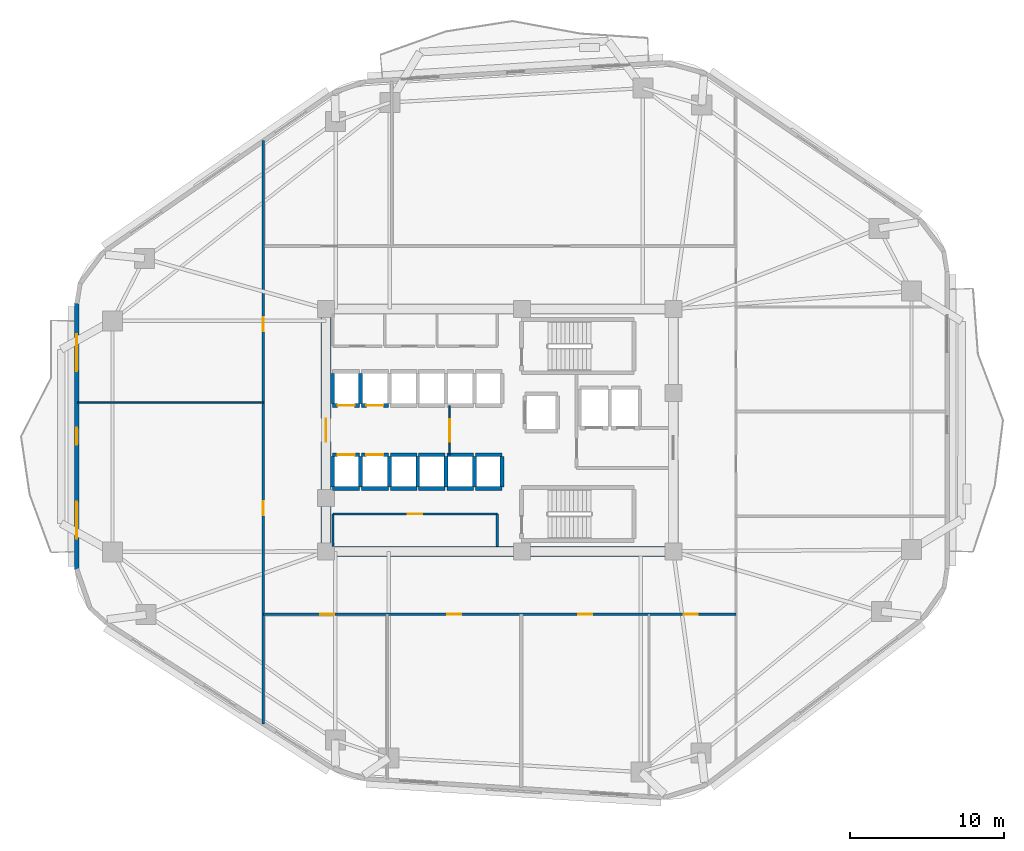
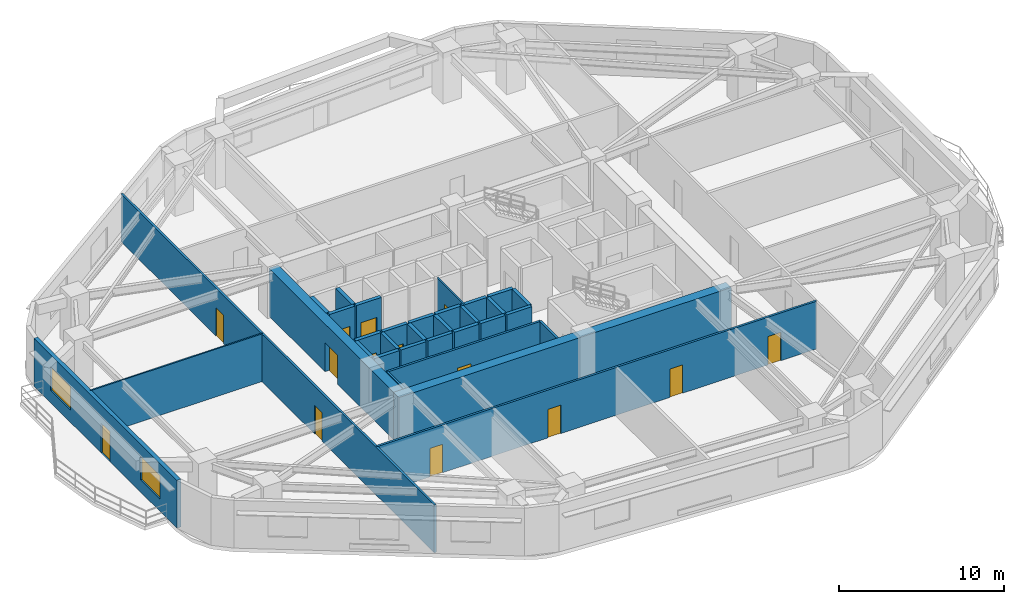
# One storey, part 3 of 9: 33 walls, 14 doors, 2 windows, 16 openings.
"""IFC4 building model written with IfcOpenShell, lengths in metres."""

from ifc_helpers import new_model, si_unit, direction, frame, frame_2d, origin, place, context, subcontext, project, spatial, rectangle, extrude, material, layer, layer_set, type_object, element, fill, save


model = new_model("IFC4")

# Units and contexts
model_context = context("Model", 3, precision=1e-05, world=origin(), true_north=direction((0.0, 1.0)))
body_context = subcontext(model_context, "Body", "Model", "MODEL_VIEW")
ifc_project = project(units=[si_unit("LENGTHUNIT", "METRE"), si_unit("AREAUNIT", "SQUARE_METRE"), si_unit("VOLUMEUNIT", "CUBIC_METRE"), si_unit("PLANEANGLEUNIT", "RADIAN"), si_unit("MASSUNIT", "GRAM", prefix="KILO")], contexts=[model_context])

# Site, building, storey
site_placement = place(None, origin())
site = spatial("IfcSite", under=ifc_project, at=site_placement, CompositionType="ELEMENT")
building_placement = place(site_placement, origin())
building = spatial("IfcBuilding", under=site, at=building_placement, Name="Zulverin Broadcast Headquarters", CompositionType="ELEMENT")
storey_placement = place(building_placement, frame((0.0, 0.0, 63.0)))
storey = spatial("IfcBuildingStorey", under=building, at=storey_placement, Name="L15", CompositionType="ELEMENT", Elevation=63.0)

# Wall
ifc_material_1 = material(Name="Concrete C60/75", Category="concrete")
ifc_layer_1 = layer(ifc_material_1, 0.64990234375, Name="Concrete C60/75", Category="concrete")
ifc_layer_set_1 = layer_set([ifc_layer_1], Name="Concrete C60/75")
wall_type_1 = type_object("IfcWallType", Name="WL-CORE-650", PredefinedType="SHEAR", material=ifc_layer_set_1)
wall_1_placement = place(storey_placement, frame((25.39990234375, 17.324951171875, 0.0), z_axis=(0.0, 0.0, 1.0), x_axis=(1.0, 0.0, 0.0)))
element("IfcWall", 1, at=wall_1_placement, inside=storey, type_object=wall_type_1, Name="L15 Core South Shear Wall", PredefinedType="SHEAR", context=body_context, shape_type="SweptSolid", body=[
    extrude(rectangle(XDim=23.2001953125, YDim=0.64990234375, at=frame_2d((11.60009765625, 0.0))), origin(), (0.0, 0.0, 1.0), 3.52490234375),
])

# Wall, opening, door
wall_2_placement = place(storey_placement, frame((25.72509765625, 17.64990234375, 0.0), z_axis=(0.0, 0.0, 1.0), x_axis=(0.0, 1.0, 0.0)))
wall_2 = element("IfcWall", 2, at=wall_2_placement, inside=storey, type_object=wall_type_1, Name="L15 Core West Shear Wall", PredefinedType="SHEAR", context=body_context, shape_type="SweptSolid", body=[
    extrude(rectangle(XDim=15.10009765625, YDim=0.64990234375, at=frame_2d((7.550048828125, 0.0))), origin(), (0.0, 0.0, 1.0), 3.52490234375),
])
opening_1_placement = place(wall_2_placement, frame((6.800048828125, 0.0, 0.0)))
opening_1 = element("IfcOpeningElement", 3, at=opening_1_placement, cuts=wall_2, Name="Opening D-L15-CW1", PredefinedType="OPENING", context=body_context, shape_type="SweptSolid", body=[
    extrude(rectangle(XDim=1.5, YDim=2.14990234375, at=frame_2d((0.75, 1.074951171875))), frame((0.0, 0.3349609375, 0.0), z_axis=(0.0, -1.0, 0.0), x_axis=(1.0, 0.0, 0.0)), (0.0, 0.0, 1.0), 0.669921875),
])
ifc_material_2 = material(Name="Fire-rated glazed steel frame", Category="steel")
door_type_1 = type_object("IfcDoorType", Name="DR-COR-1500", OperationType="DOUBLE_DOOR_SINGLE_SWING", PredefinedType="DOOR", material=ifc_material_2)
door_1_placement = place(opening_1_placement, origin())
door_1 = element("IfcDoor", 4, at=door_1_placement, inside=storey, type_object=door_type_1, Name="L15 Central Lift Lobby West Portal Door", OperationType="DOUBLE_DOOR_SINGLE_SWING", OverallHeight=2.14990234375, OverallWidth=1.5, PredefinedType="DOOR", context=body_context, shape_type="SweptSolid", body=[
    extrude(rectangle(XDim=1.5, YDim=2.14990234375, at=frame_2d((0.75, 1.074951171875))), frame((0.0, 0.02490234375, 0.0), z_axis=(0.0, -1.0, 0.0), x_axis=(1.0, 0.0, 0.0)), (0.0, 0.0, 1.0), 0.050048828125),
])
fill(opening_1, door_1)

# Wall, openings, door, windows
ifc_material_3 = material(Name="Insulated pale-metal clad concrete spandrel C40/50", Category="concrete")
ifc_layer_2 = layer(ifc_material_3, 0.280029296875, Name="Insulated pale-metal clad concrete spandrel C40/50", Category="concrete")
ifc_layer_set_2 = layer_set([ifc_layer_2], Name="Insulated pale-metal clad concrete spandrel C40/50")
wall_type_2 = type_object("IfcWallType", Name="WL-EXT-280", PredefinedType="STANDARD", material=ifc_layer_set_2)
wall_3_placement = place(storey_placement, frame((9.5400390625, 33.4443359375, 0.0), z_axis=(0.0, 0.0, 1.0), x_axis=(0.0, -1.0, 0.0)))
wall_3 = element("IfcWall", 5, at=wall_3_placement, inside=storey, type_object=wall_type_2, Name="L15 Pale-Metal Clad Spandrel Wall 7", PredefinedType="STANDARD", context=body_context, shape_type="SweptSolid", body=[
    extrude(rectangle(XDim=17.30078125, YDim=0.280029296875, at=frame_2d((8.650390625, 0.0))), origin(), (0.0, 0.0, 1.0), 3.52490234375),
])
opening_2_placement = place(wall_3_placement, frame((8.100341796875, 0.0, 0.0)))
opening_2 = element("IfcOpeningElement", 6, at=opening_2_placement, cuts=wall_3, Name="Opening D-L15-TR7", PredefinedType="OPENING", context=body_context, shape_type="SweptSolid", body=[
    extrude(rectangle(XDim=1.10009765625, YDim=2.199951171875, at=frame_2d((0.550048828125, 1.10009765625))), frame((0.0, 0.14990234375, 0.0), z_axis=(0.0, -1.0, 0.0), x_axis=(1.0, 0.0, 0.0)), (0.0, 0.0, 1.0), 0.300048828125),
])
opening_3_placement = place(wall_3_placement, frame((2.016845703125, 0.0, 0.89990234375)))
opening_3 = element("IfcOpeningElement", 7, at=opening_3_placement, cuts=wall_3, Name="Opening W-L15-E71", PredefinedType="OPENING", context=body_context, shape_type="SweptSolid", body=[
    extrude(rectangle(XDim=2.39990234375, YDim=1.75, at=frame_2d((1.199951171875, 0.875))), frame((0.0, 0.14990234375, 0.0), z_axis=(0.0, -1.0, 0.0), x_axis=(1.0, 0.0, 0.0)), (0.0, 0.0, 1.0), 0.300048828125),
])
opening_4_placement = place(wall_3_placement, frame((12.884033203125, 0.0, 0.89990234375)))
opening_4 = element("IfcOpeningElement", 8, at=opening_4_placement, cuts=wall_3, Name="Opening W-L15-E72", PredefinedType="OPENING", context=body_context, shape_type="SweptSolid", body=[
    extrude(rectangle(XDim=2.39990234375, YDim=1.75, at=frame_2d((1.199951171875, 0.875))), frame((0.0, 0.14990234375, 0.0), z_axis=(0.0, -1.0, 0.0), x_axis=(1.0, 0.0, 0.0)), (0.0, 0.0, 1.0), 0.300048828125),
])
ifc_material_4 = material(Name="Thermally broken aluminium glazed", Category="aluminium")
door_type_2 = type_object("IfcDoorType", Name="DR-TERR-1100", OperationType="SINGLE_SWING_RIGHT", PredefinedType="DOOR", material=ifc_material_4)
door_2_placement = place(opening_2_placement, origin())
door_2 = element("IfcDoor", 9, at=door_2_placement, inside=storey, type_object=door_type_2, Name="L15 Planted Terrace Glazed Access Door 7", OperationType="SINGLE_SWING_RIGHT", OverallHeight=2.199951171875, OverallWidth=1.10009765625, PredefinedType="DOOR", context=body_context, shape_type="SweptSolid", body=[
    extrude(rectangle(XDim=1.10009765625, YDim=2.199951171875, at=frame_2d((0.550048828125, 1.10009765625))), frame((0.0, 0.02490234375, 0.0), z_axis=(0.0, -1.0, 0.0), x_axis=(1.0, 0.0, 0.0)), (0.0, 0.0, 1.0), 0.050048828125),
])
fill(opening_2, door_2)
ifc_material_5 = material(Name="Pale anodized aluminium frame with solar-control low-E double glazing", Category="aluminium")
window_type = type_object("IfcWindowType", Name="WIN-RIB-2400", PartitioningType="SINGLE_PANEL", PredefinedType="WINDOW", material=ifc_material_5)
window_1_placement = place(opening_3_placement, origin())
window_1 = element("IfcWindow", 10, at=window_1_placement, inside=storey, type_object=window_type, Name="L15 Ribbon Glazing Window 7 1", OverallHeight=1.75, OverallWidth=2.39990234375, PartitioningType="SINGLE_PANEL", PredefinedType="WINDOW", context=body_context, shape_type="SweptSolid", body=[
    extrude(rectangle(XDim=2.39990234375, YDim=1.75, at=frame_2d((1.199951171875, 0.875))), frame((0.0, 0.030029296875, 0.0), z_axis=(0.0, -1.0, 0.0), x_axis=(1.0, 0.0, 0.0)), (0.0, 0.0, 1.0), 0.06005859375),
])
fill(opening_3, window_1)
window_2_placement = place(opening_4_placement, origin())
window_2 = element("IfcWindow", 11, at=window_2_placement, inside=storey, type_object=window_type, Name="L15 Ribbon Glazing Window 7 2", OverallHeight=1.75, OverallWidth=2.39990234375, PartitioningType="SINGLE_PANEL", PredefinedType="WINDOW", context=body_context, shape_type="SweptSolid", body=[
    extrude(rectangle(XDim=2.39990234375, YDim=1.75, at=frame_2d((1.199951171875, 0.875))), frame((0.0, 0.030029296875, 0.0), z_axis=(0.0, -1.0, 0.0), x_axis=(1.0, 0.0, 0.0)), (0.0, 0.0, 1.0), 0.06005859375),
])
fill(opening_4, window_2)

# Wall, opening, door
ifc_material_6 = material(Name="Fire-rated acoustic laminated glass screen", Category="glass")
ifc_layer_3 = layer(ifc_material_6, 0.10009765625, Name="Fire-rated acoustic laminated glass screen", Category="glass")
ifc_layer_set_3 = layer_set([ifc_layer_3], Name="Fire-rated acoustic laminated glass screen")
wall_type_3 = type_object("IfcWallType", Name="WL-GLAZ-100", PredefinedType="PARTITIONING", material=ifc_layer_set_3)
wall_4_placement = place(storey_placement, frame((33.75, 23.60009765625, 0.0), z_axis=(0.0, 0.0, 1.0), x_axis=(0.0, 1.0, 0.0)))
wall_4 = element("IfcWall", 12, at=wall_4_placement, inside=storey, type_object=wall_type_3, Name="L15 Core Lobby Acoustic Screen", PredefinedType="PARTITIONING", context=body_context, shape_type="SweptSolid", body=[
    extrude(rectangle(XDim=3.199951171875, YDim=0.10009765625, at=frame_2d((1.60009765625, 0.0))), origin(), (0.0, 0.0, 1.0), 3.52490234375),
])
opening_5_placement = place(wall_4_placement, frame((0.85009765625, 0.0, 0.0)))
opening_5 = element("IfcOpeningElement", 13, at=opening_5_placement, cuts=wall_4, Name="Opening D-L15-CL1", PredefinedType="OPENING", context=body_context, shape_type="SweptSolid", body=[
    extrude(rectangle(XDim=1.449951171875, YDim=2.1201171875, at=frame_2d((0.72509765625, 1.06005859375))), frame((0.0, 0.06005859375, 0.0), z_axis=(0.0, -1.0, 0.0), x_axis=(1.0, 0.0, 0.0)), (0.0, 0.0, 1.0), 0.1201171875),
])
ifc_material_7 = material(Name="Fire-rated acoustic glazed double leaf", Category="glass")
door_type_3 = type_object("IfcDoorType", Name="DR-GLZ-1450", OperationType="DOUBLE_DOOR_SINGLE_SWING", PredefinedType="DOOR", material=ifc_material_7)
door_3_placement = place(opening_5_placement, origin())
door_3 = element("IfcDoor", 14, at=door_3_placement, inside=storey, type_object=door_type_3, Name="L15 Core Lobby Vestibule Door", OperationType="DOUBLE_DOOR_SINGLE_SWING", OverallHeight=2.1201171875, OverallWidth=1.449951171875, PredefinedType="DOOR", context=body_context, shape_type="SweptSolid", body=[
    extrude(rectangle(XDim=1.449951171875, YDim=2.1201171875, at=frame_2d((0.72509765625, 1.06005859375))), frame((0.0, 0.02490234375, 0.0), z_axis=(0.0, -1.0, 0.0), x_axis=(1.0, 0.0, 0.0)), (0.0, 0.0, 1.0), 0.050048828125),
])
fill(opening_5, door_3)

# Wall
wall_5_placement = place(storey_placement, frame((9.60498046875, 27.0, 0.0), z_axis=(0.0, 0.0, 1.0), x_axis=(1.0, 0.0, 0.0)))
element("IfcWall", 15, at=wall_5_placement, inside=storey, type_object=wall_type_3, Name="L15 Room Partition Wall RP-10", PredefinedType="PARTITIONING", context=body_context, shape_type="SweptSolid", body=[
    extrude(rectangle(XDim=12.044921875, YDim=0.10009765625, at=frame_2d((6.0224609375, 0.0))), origin(), (0.0, 0.0, 1.0), 3.52490234375),
])

# Wall, opening, door
ifc_material_8 = material(Name="Fire-rated gypsum stud partition", Category="gypsum")
ifc_layer_4 = layer(ifc_material_8, 0.14990234375, Name="Fire-rated gypsum stud partition", Category="gypsum")
ifc_layer_set_4 = layer_set([ifc_layer_4], Name="Fire-rated gypsum stud partition")
wall_type_4 = type_object("IfcWallType", Name="WL-PART-150", PredefinedType="PARTITIONING", material=ifc_layer_set_4)
wall_6_placement = place(storey_placement, frame((26.169921875, 19.75, 0.0), z_axis=(0.0, 0.0, 1.0), x_axis=(1.0, 0.0, 0.0)))
wall_6 = element("IfcWall", 16, at=wall_6_placement, inside=storey, type_object=wall_type_4, Name="L15 Core Female WC & Facilities Room Front Wall", PredefinedType="PARTITIONING", context=body_context, shape_type="SweptSolid", body=[
    extrude(rectangle(XDim=10.68017578125, YDim=0.14990234375, at=frame_2d((5.340087890625, 0.0))), origin(), (0.0, 0.0, 1.0), 3.52490234375),
])
opening_6_placement = place(wall_6_placement, frame((4.864990234375, 0.0, 0.0)))
opening_6 = element("IfcOpeningElement", 17, at=opening_6_placement, cuts=wall_6, Name="Opening D-L15-SC1", PredefinedType="OPENING", context=body_context, shape_type="SweptSolid", body=[
    extrude(rectangle(XDim=0.949951171875, YDim=2.10009765625, at=frame_2d((0.47509765625, 1.050048828125))), frame((0.0, 0.0849609375, 0.0), z_axis=(0.0, -1.0, 0.0), x_axis=(1.0, 0.0, 0.0)), (0.0, 0.0, 1.0), 0.169921875),
])
ifc_material_9 = material(Name="Fire-rated moisture-resistant laminate leaf", Category="wood")
door_type_4 = type_object("IfcDoorType", Name="DR-WC-950", OperationType="SINGLE_SWING_LEFT", PredefinedType="DOOR", material=ifc_material_9)
door_4_placement = place(opening_6_placement, origin())
door_4 = element("IfcDoor", 18, at=door_4_placement, inside=storey, type_object=door_type_4, Name="L15 Female WC & Facilities Room Door", OperationType="SINGLE_SWING_RIGHT", OverallHeight=2.10009765625, OverallWidth=0.949951171875, PredefinedType="DOOR", context=body_context, shape_type="SweptSolid", body=[
    extrude(rectangle(XDim=0.949951171875, YDim=2.10009765625, at=frame_2d((0.47509765625, 1.050048828125))), frame((0.0, 0.02490234375, 0.0), z_axis=(0.0, -1.0, 0.0), x_axis=(1.0, 0.0, 0.0)), (0.0, 0.0, 1.0), 0.050048828125),
])
fill(opening_6, door_4)

# Walls
for number, where, z_axis, x_axis, name in (
    (19, (26.169921875, 17.64990234375, 0.0), (0.0, 0.0, 1.0), (0.0, 1.0, 0.0), "L15 Core Female WC & Facilities Room West Wall"),
    (20, (36.85009765625, 17.64990234375, 0.0), (0.0, 0.0, 1.0), (0.0, 1.0, 0.0), "L15 Core Female WC & Facilities Room East Wall"),
):
    element("IfcWall", number, at=place(storey_placement, frame(where, z_axis=z_axis, x_axis=x_axis)), inside=storey, type_object=wall_type_4, Name=name, PredefinedType="PARTITIONING", context=body_context, shape_type="SweptSolid", body=[
        extrude(rectangle(XDim=2.10009765625, YDim=0.14990234375, at=frame_2d((1.050048828125, 0.0))), origin(), (0.0, 0.0, 1.0), 3.52490234375),
    ])

# Wall, openings, doors
wall_7_placement = place(storey_placement, frame((21.64990234375, 6.118896484375, 0.0), z_axis=(0.0, 0.0, 1.0), x_axis=(0.0, 1.0, 0.0)))
wall_7 = element("IfcWall", 21, at=wall_7_placement, inside=storey, type_object=wall_type_4, Name="L15 Gallery Partition Wall CG-06", PredefinedType="PARTITIONING", context=body_context, shape_type="SweptSolid", body=[
    extrude(rectangle(XDim=37.884033203125, YDim=0.14990234375, at=frame_2d((18.94189453125, 0.0))), origin(), (0.0, 0.0, 1.0), 3.52490234375),
])
opening_7_placement = place(wall_7_placement, frame((13.55615234375, 0.0, 0.0)))
opening_7 = element("IfcOpeningElement", 22, at=opening_7_placement, cuts=wall_7, Name="Opening D-L15-07", PredefinedType="OPENING", context=body_context, shape_type="SweptSolid", body=[
    extrude(rectangle(XDim=0.89990234375, YDim=2.10009765625, at=frame_2d((0.449951171875, 1.050048828125))), frame((0.0, 0.0849609375, 0.0), z_axis=(0.0, -1.0, 0.0), x_axis=(1.0, 0.0, 0.0)), (0.0, 0.0, 1.0), 0.169921875),
])
opening_8_placement = place(wall_7_placement, frame((25.506103515625, 0.0, 0.0)))
opening_8 = element("IfcOpeningElement", 23, at=opening_8_placement, cuts=wall_7, Name="Opening D-L15-08", PredefinedType="OPENING", context=body_context, shape_type="SweptSolid", body=[
    extrude(rectangle(XDim=0.89990234375, YDim=2.10009765625, at=frame_2d((0.449951171875, 1.050048828125))), frame((0.0, 0.0849609375, 0.0), z_axis=(0.0, -1.0, 0.0), x_axis=(1.0, 0.0, 0.0)), (0.0, 0.0, 1.0), 0.169921875),
])
ifc_material_10 = material(Name="Fire-rated hardwood veneer timber leaf", Category="wood")
door_type_5 = type_object("IfcDoorType", Name="DR-ROOM-900", OperationType="SINGLE_SWING_RIGHT", PredefinedType="DOOR", material=ifc_material_10)
door_5_placement = place(opening_7_placement, origin())
door_5 = element("IfcDoor", 24, at=door_5_placement, inside=storey, type_object=door_type_5, Name="L15 Staff Cafe Door", OperationType="SINGLE_SWING_RIGHT", OverallHeight=2.10009765625, OverallWidth=0.89990234375, PredefinedType="DOOR", context=body_context, shape_type="SweptSolid", body=[
    extrude(rectangle(XDim=0.89990234375, YDim=2.10009765625, at=frame_2d((0.449951171875, 1.050048828125))), frame((0.0, 0.02490234375, 0.0), z_axis=(0.0, -1.0, 0.0), x_axis=(1.0, 0.0, 0.0)), (0.0, 0.0, 1.0), 0.050048828125),
])
fill(opening_7, door_5)
door_6_placement = place(opening_8_placement, origin())
door_6 = element("IfcDoor", 25, at=door_6_placement, inside=storey, type_object=door_type_5, Name="L15 Tea Pantry Door", OperationType="SINGLE_SWING_LEFT", OverallHeight=2.10009765625, OverallWidth=0.89990234375, PredefinedType="DOOR", context=body_context, shape_type="SweptSolid", body=[
    extrude(rectangle(XDim=0.89990234375, YDim=2.10009765625, at=frame_2d((0.449951171875, 1.050048828125))), frame((0.0, 0.02490234375, 0.0), z_axis=(0.0, -1.0, 0.0), x_axis=(1.0, 0.0, 0.0)), (0.0, 0.0, 1.0), 0.050048828125),
])
fill(opening_8, door_6)

wall_8_placement = place(storey_placement, frame((21.64990234375, 13.25, 0.0), z_axis=(0.0, 0.0, 1.0), x_axis=(1.0, 0.0, 0.0)))
wall_8 = element("IfcWall", 26, at=wall_8_placement, inside=storey, type_object=wall_type_4, Name="L15 Gallery Partition Wall CG-07", PredefinedType="PARTITIONING", context=body_context, shape_type="SweptSolid", body=[
    extrude(rectangle(XDim=30.7001953125, YDim=0.14990234375, at=frame_2d((15.35009765625, 0.0))), origin(), (0.0, 0.0, 1.0), 3.52490234375),
])
opening_9_placement = place(wall_8_placement, frame((3.695068359375, 0.0, 0.0)))
opening_9 = element("IfcOpeningElement", 27, at=opening_9_placement, cuts=wall_8, Name="Opening D-L15-03", PredefinedType="OPENING", context=body_context, shape_type="SweptSolid", body=[
    extrude(rectangle(XDim=0.89990234375, YDim=2.10009765625, at=frame_2d((0.449951171875, 1.050048828125))), frame((0.0, 0.0849609375, 0.0), z_axis=(0.0, -1.0, 0.0), x_axis=(1.0, 0.0, 0.0)), (0.0, 0.0, 1.0), 0.169921875),
])
opening_10_placement = place(wall_8_placement, frame((11.949951171875, 0.0, 0.0)))
opening_10 = element("IfcOpeningElement", 28, at=opening_10_placement, cuts=wall_8, Name="Opening D-L15-04", PredefinedType="OPENING", context=body_context, shape_type="SweptSolid", body=[
    extrude(rectangle(XDim=0.89990234375, YDim=2.10009765625, at=frame_2d((0.449951171875, 1.050048828125))), frame((0.0, 0.0849609375, 0.0), z_axis=(0.0, -1.0, 0.0), x_axis=(1.0, 0.0, 0.0)), (0.0, 0.0, 1.0), 0.169921875),
])
opening_11_placement = place(wall_8_placement, frame((20.449951171875, 0.0, 0.0)))
opening_11 = element("IfcOpeningElement", 29, at=opening_11_placement, cuts=wall_8, Name="Opening D-L15-05", PredefinedType="OPENING", context=body_context, shape_type="SweptSolid", body=[
    extrude(rectangle(XDim=0.89990234375, YDim=2.10009765625, at=frame_2d((0.449951171875, 1.050048828125))), frame((0.0, 0.0849609375, 0.0), z_axis=(0.0, -1.0, 0.0), x_axis=(1.0, 0.0, 0.0)), (0.0, 0.0, 1.0), 0.169921875),
])
opening_12_placement = place(wall_8_placement, frame((27.304931640625, 0.0, 0.0)))
opening_12 = element("IfcOpeningElement", 30, at=opening_12_placement, cuts=wall_8, Name="Opening D-L15-06", PredefinedType="OPENING", context=body_context, shape_type="SweptSolid", body=[
    extrude(rectangle(XDim=0.89990234375, YDim=2.10009765625, at=frame_2d((0.449951171875, 1.050048828125))), frame((0.0, 0.0849609375, 0.0), z_axis=(0.0, -1.0, 0.0), x_axis=(1.0, 0.0, 0.0)), (0.0, 0.0, 1.0), 0.169921875),
])
door_7_placement = place(opening_9_placement, origin())
door_7 = element("IfcDoor", 31, at=door_7_placement, inside=storey, type_object=door_type_5, Name="L15 Colour Review Suite Door", OperationType="SINGLE_SWING_RIGHT", OverallHeight=2.10009765625, OverallWidth=0.89990234375, PredefinedType="DOOR", context=body_context, shape_type="SweptSolid", body=[
    extrude(rectangle(XDim=0.89990234375, YDim=2.10009765625, at=frame_2d((0.449951171875, 1.050048828125))), frame((0.0, 0.02490234375, 0.0), z_axis=(0.0, -1.0, 0.0), x_axis=(1.0, 0.0, 0.0)), (0.0, 0.0, 1.0), 0.050048828125),
])
fill(opening_9, door_7)
door_8_placement = place(opening_10_placement, origin())
door_8 = element("IfcDoor", 32, at=door_8_placement, inside=storey, type_object=door_type_5, Name="L15 Boardroom Door", OperationType="SINGLE_SWING_LEFT", OverallHeight=2.10009765625, OverallWidth=0.89990234375, PredefinedType="DOOR", context=body_context, shape_type="SweptSolid", body=[
    extrude(rectangle(XDim=0.89990234375, YDim=2.10009765625, at=frame_2d((0.449951171875, 1.050048828125))), frame((0.0, 0.02490234375, 0.0), z_axis=(0.0, -1.0, 0.0), x_axis=(1.0, 0.0, 0.0)), (0.0, 0.0, 1.0), 0.050048828125),
])
fill(opening_10, door_8)
door_9_placement = place(opening_11_placement, origin())
door_9 = element("IfcDoor", 33, at=door_9_placement, inside=storey, type_object=door_type_5, Name="L15 Broadcast Museum Gallery Door", OperationType="SINGLE_SWING_RIGHT", OverallHeight=2.10009765625, OverallWidth=0.89990234375, PredefinedType="DOOR", context=body_context, shape_type="SweptSolid", body=[
    extrude(rectangle(XDim=0.89990234375, YDim=2.10009765625, at=frame_2d((0.449951171875, 1.050048828125))), frame((0.0, 0.02490234375, 0.0), z_axis=(0.0, -1.0, 0.0), x_axis=(1.0, 0.0, 0.0)), (0.0, 0.0, 1.0), 0.050048828125),
])
fill(opening_11, door_9)
door_10_placement = place(opening_12_placement, origin())
door_10 = element("IfcDoor", 34, at=door_10_placement, inside=storey, type_object=door_type_5, Name="L15 Staff Fitness Gym Door", OperationType="SINGLE_SWING_LEFT", OverallHeight=2.10009765625, OverallWidth=0.89990234375, PredefinedType="DOOR", context=body_context, shape_type="SweptSolid", body=[
    extrude(rectangle(XDim=0.89990234375, YDim=2.10009765625, at=frame_2d((0.449951171875, 1.050048828125))), frame((0.0, 0.02490234375, 0.0), z_axis=(0.0, -1.0, 0.0), x_axis=(1.0, 0.0, 0.0)), (0.0, 0.0, 1.0), 0.050048828125),
])
fill(opening_12, door_10)

# Wall, opening, door
ifc_material_11 = material(Name="Concrete C50/60", Category="concrete")
ifc_layer_5 = layer(ifc_material_11, 0.25, Name="Concrete C50/60", Category="concrete")
ifc_layer_set_5 = layer_set([ifc_layer_5], Name="Concrete C50/60")
wall_type_5 = type_object("IfcWallType", Name="WL-SHAFT-250", PredefinedType="SHEAR", material=ifc_layer_set_5)
wall_9_placement = place(storey_placement, frame((26.14990234375, 26.800048828125, 0.0), z_axis=(0.0, 0.0, 1.0), x_axis=(1.0, 0.0, 0.0)))
wall_9 = element("IfcWall", 35, at=wall_9_placement, inside=storey, type_object=wall_type_5, Name="L15 Lift PL-L1 Shaft Wall S", PredefinedType="SHEAR", context=body_context, shape_type="SweptSolid", body=[
    extrude(rectangle(XDim=1.75, YDim=0.25, at=frame_2d((0.875, 0.0))), origin(), (0.0, 0.0, 1.0), 3.52490234375),
])
opening_13_placement = place(wall_9_placement, frame((0.324951171875, 0.0, 0.0)))
opening_13 = element("IfcOpeningElement", 36, at=opening_13_placement, cuts=wall_9, Name="Opening LD-PL-L1-L15", PredefinedType="OPENING", context=body_context, shape_type="SweptSolid", body=[
    extrude(rectangle(XDim=1.10009765625, YDim=2.14990234375, at=frame_2d((0.550048828125, 1.074951171875))), frame((0.0, 0.135009765625, 0.0), z_axis=(0.0, -1.0, 0.0), x_axis=(1.0, 0.0, 0.0)), (0.0, 0.0, 1.0), 0.27001953125),
])
ifc_material_12 = material(Name="Brushed stainless steel landing", Category="steel")
door_type_6 = type_object("IfcDoorType", Name="LD-PASS-1100", OperationType="DOUBLE_DOOR_SLIDING", PredefinedType="DOOR", material=ifc_material_12)
door_11_placement = place(opening_13_placement, origin())
door_11 = element("IfcDoor", 37, at=door_11_placement, inside=storey, type_object=door_type_6, Name="L15 Lift PL-L1 Sliding Landing Door", OperationType="DOUBLE_DOOR_SLIDING", OverallHeight=2.14990234375, OverallWidth=1.10009765625, PredefinedType="DOOR", context=body_context, shape_type="SweptSolid", body=[
    extrude(rectangle(XDim=1.10009765625, YDim=2.14990234375, at=frame_2d((0.550048828125, 1.074951171875))), frame((0.0, 0.02490234375, 0.0), z_axis=(0.0, -1.0, 0.0), x_axis=(1.0, 0.0, 0.0)), (0.0, 0.0, 1.0), 0.050048828125),
])
fill(opening_13, door_11)

# Walls
for number, where, z_axis, x_axis, name in (
    (38, (26.14990234375, 26.919921875, 0.0), (0.0, 0.0, 1.0), (0.0, 1.0, 0.0), "L15 Lift PL-L1 Shaft Wall W"),
    (39, (27.9599609375, 26.919921875, 0.0), (0.0, 0.0, 1.0), (0.0, 1.0, 0.0), "L15 Lift PL-L1 Shaft Wall E"),
):
    element("IfcWall", number, at=place(storey_placement, frame(where, z_axis=z_axis, x_axis=x_axis)), inside=storey, type_object=wall_type_5, Name=name, PredefinedType="SHEAR", context=body_context, shape_type="SweptSolid", body=[
        extrude(rectangle(XDim=1.9599609375, YDim=0.25, at=frame_2d((0.97998046875, 0.0))), origin(), (0.0, 0.0, 1.0), 3.52490234375),
    ])

# Wall, opening, door
wall_10_placement = place(storey_placement, frame((28.02001953125, 26.800048828125, 0.0), z_axis=(0.0, 0.0, 1.0), x_axis=(1.0, 0.0, 0.0)))
wall_10 = element("IfcWall", 40, at=wall_10_placement, inside=storey, type_object=wall_type_5, Name="L15 Lift PL-L2 Shaft Wall S", PredefinedType="SHEAR", context=body_context, shape_type="SweptSolid", body=[
    extrude(rectangle(XDim=1.75, YDim=0.25, at=frame_2d((0.875, 0.0))), origin(), (0.0, 0.0, 1.0), 3.52490234375),
])
opening_14_placement = place(wall_10_placement, frame((0.324951171875, 0.0, 0.0)))
opening_14 = element("IfcOpeningElement", 41, at=opening_14_placement, cuts=wall_10, Name="Opening LD-PL-L2-L15", PredefinedType="OPENING", context=body_context, shape_type="SweptSolid", body=[
    extrude(rectangle(XDim=1.10009765625, YDim=2.14990234375, at=frame_2d((0.550048828125, 1.074951171875))), frame((0.0, 0.135009765625, 0.0), z_axis=(0.0, -1.0, 0.0), x_axis=(1.0, 0.0, 0.0)), (0.0, 0.0, 1.0), 0.27001953125),
])
door_12_placement = place(opening_14_placement, origin())
door_12 = element("IfcDoor", 42, at=door_12_placement, inside=storey, type_object=door_type_6, Name="L15 Lift PL-L2 Sliding Landing Door", OperationType="DOUBLE_DOOR_SLIDING", OverallHeight=2.14990234375, OverallWidth=1.10009765625, PredefinedType="DOOR", context=body_context, shape_type="SweptSolid", body=[
    extrude(rectangle(XDim=1.10009765625, YDim=2.14990234375, at=frame_2d((0.550048828125, 1.074951171875))), frame((0.0, 0.02490234375, 0.0), z_axis=(0.0, -1.0, 0.0), x_axis=(1.0, 0.0, 0.0)), (0.0, 0.0, 1.0), 0.050048828125),
])
fill(opening_14, door_12)

# Wall
wall_11_placement = place(storey_placement, frame((26.14990234375, 21.39990234375, 0.0), z_axis=(0.0, 0.0, 1.0), x_axis=(1.0, 0.0, 0.0)))
element("IfcWall", 43, at=wall_11_placement, inside=storey, type_object=wall_type_5, Name="L15 Lift PL-L3 Shaft Wall S", PredefinedType="SHEAR", context=body_context, shape_type="SweptSolid", body=[
    extrude(rectangle(XDim=1.75, YDim=0.25, at=frame_2d((0.875, 0.0))), origin(), (0.0, 0.0, 1.0), 3.52490234375),
])

# Wall, opening, door
wall_12_placement = place(storey_placement, frame((26.14990234375, 23.60009765625, 0.0), z_axis=(0.0, 0.0, 1.0), x_axis=(1.0, 0.0, 0.0)))
wall_12 = element("IfcWall", 44, at=wall_12_placement, inside=storey, type_object=wall_type_5, Name="L15 Lift PL-L3 Shaft Wall N", PredefinedType="SHEAR", context=body_context, shape_type="SweptSolid", body=[
    extrude(rectangle(XDim=1.75, YDim=0.25, at=frame_2d((0.875, 0.0))), origin(), (0.0, 0.0, 1.0), 3.52490234375),
])
opening_15_placement = place(wall_12_placement, frame((0.324951171875, 0.0, 0.0)))
opening_15 = element("IfcOpeningElement", 45, at=opening_15_placement, cuts=wall_12, Name="Opening LD-PL-L3-L15", PredefinedType="OPENING", context=body_context, shape_type="SweptSolid", body=[
    extrude(rectangle(XDim=1.10009765625, YDim=2.14990234375, at=frame_2d((0.550048828125, 1.074951171875))), frame((0.0, 0.135009765625, 0.0), z_axis=(0.0, -1.0, 0.0), x_axis=(1.0, 0.0, 0.0)), (0.0, 0.0, 1.0), 0.27001953125),
])
door_13_placement = place(opening_15_placement, origin())
door_13 = element("IfcDoor", 46, at=door_13_placement, inside=storey, type_object=door_type_6, Name="L15 Lift PL-L3 Sliding Landing Door", OperationType="DOUBLE_DOOR_SLIDING", OverallHeight=2.14990234375, OverallWidth=1.10009765625, PredefinedType="DOOR", context=body_context, shape_type="SweptSolid", body=[
    extrude(rectangle(XDim=1.10009765625, YDim=2.14990234375, at=frame_2d((0.550048828125, 1.074951171875))), frame((0.0, 0.02490234375, 0.0), z_axis=(0.0, -1.0, 0.0), x_axis=(1.0, 0.0, 0.0)), (0.0, 0.0, 1.0), 0.050048828125),
])
fill(opening_15, door_13)

# Walls
for number, where, z_axis, x_axis, name in (
    (47, (26.14990234375, 21.52001953125, 0.0), (0.0, 0.0, 1.0), (0.0, 1.0, 0.0), "L15 Lift PL-L3 Shaft Wall W"),
    (48, (27.9599609375, 21.52001953125, 0.0), (0.0, 0.0, 1.0), (0.0, 1.0, 0.0), "L15 Lift PL-L3 Shaft Wall E"),
):
    element("IfcWall", number, at=place(storey_placement, frame(where, z_axis=z_axis, x_axis=x_axis)), inside=storey, type_object=wall_type_5, Name=name, PredefinedType="SHEAR", context=body_context, shape_type="SweptSolid", body=[
        extrude(rectangle(XDim=1.9599609375, YDim=0.25, at=frame_2d((0.97998046875, 0.0))), origin(), (0.0, 0.0, 1.0), 3.52490234375),
    ])
wall_13_placement = place(storey_placement, frame((28.02001953125, 21.39990234375, 0.0), z_axis=(0.0, 0.0, 1.0), x_axis=(1.0, 0.0, 0.0)))
element("IfcWall", 49, at=wall_13_placement, inside=storey, type_object=wall_type_5, Name="L15 Lift PL-L4 Shaft Wall S", PredefinedType="SHEAR", context=body_context, shape_type="SweptSolid", body=[
    extrude(rectangle(XDim=1.75, YDim=0.25, at=frame_2d((0.875, 0.0))), origin(), (0.0, 0.0, 1.0), 3.52490234375),
])

# Wall, opening, door
wall_14_placement = place(storey_placement, frame((28.02001953125, 23.60009765625, 0.0), z_axis=(0.0, 0.0, 1.0), x_axis=(1.0, 0.0, 0.0)))
wall_14 = element("IfcWall", 50, at=wall_14_placement, inside=storey, type_object=wall_type_5, Name="L15 Lift PL-L4 Shaft Wall N", PredefinedType="SHEAR", context=body_context, shape_type="SweptSolid", body=[
    extrude(rectangle(XDim=1.75, YDim=0.25, at=frame_2d((0.875, 0.0))), origin(), (0.0, 0.0, 1.0), 3.52490234375),
])
opening_16_placement = place(wall_14_placement, frame((0.324951171875, 0.0, 0.0)))
opening_16 = element("IfcOpeningElement", 51, at=opening_16_placement, cuts=wall_14, Name="Opening LD-PL-L4-L15", PredefinedType="OPENING", context=body_context, shape_type="SweptSolid", body=[
    extrude(rectangle(XDim=1.10009765625, YDim=2.14990234375, at=frame_2d((0.550048828125, 1.074951171875))), frame((0.0, 0.135009765625, 0.0), z_axis=(0.0, -1.0, 0.0), x_axis=(1.0, 0.0, 0.0)), (0.0, 0.0, 1.0), 0.27001953125),
])
door_14_placement = place(opening_16_placement, origin())
door_14 = element("IfcDoor", 52, at=door_14_placement, inside=storey, type_object=door_type_6, Name="L15 Lift PL-L4 Sliding Landing Door", OperationType="DOUBLE_DOOR_SLIDING", OverallHeight=2.14990234375, OverallWidth=1.10009765625, PredefinedType="DOOR", context=body_context, shape_type="SweptSolid", body=[
    extrude(rectangle(XDim=1.10009765625, YDim=2.14990234375, at=frame_2d((0.550048828125, 1.074951171875))), frame((0.0, 0.02490234375, 0.0), z_axis=(0.0, -1.0, 0.0), x_axis=(1.0, 0.0, 0.0)), (0.0, 0.0, 1.0), 0.050048828125),
])
fill(opening_16, door_14)

# Walls
wall_15_placement = place(storey_placement, frame((29.8349609375, 21.52001953125, 0.0), z_axis=(0.0, 0.0, 1.0), x_axis=(0.0, 1.0, 0.0)))
element("IfcWall", 53, at=wall_15_placement, inside=storey, type_object=wall_type_5, Name="L15 Lift PL-L4 Shaft Wall E", PredefinedType="SHEAR", context=body_context, shape_type="SweptSolid", body=[
    extrude(rectangle(XDim=1.9599609375, YDim=0.25, at=frame_2d((0.97998046875, 0.0))), origin(), (0.0, 0.0, 1.0), 3.52490234375),
])
for number, where, z_axis, x_axis, name in (
    (54, (29.89990234375, 21.39990234375, 0.0), (0.0, 0.0, 1.0), (1.0, 0.0, 0.0), "L15 Lift PL-M1 Shaft Wall S"),
    (55, (29.89990234375, 23.60009765625, 0.0), (0.0, 0.0, 1.0), (1.0, 0.0, 0.0), "L15 Lift PL-M1 Shaft Wall N"),
):
    element("IfcWall", number, at=place(storey_placement, frame(where, z_axis=z_axis, x_axis=x_axis)), inside=storey, type_object=wall_type_5, Name=name, PredefinedType="SHEAR", context=body_context, shape_type="SweptSolid", body=[
        extrude(rectangle(XDim=1.72021484375, YDim=0.25, at=frame_2d((0.860107421875, 0.0))), origin(), (0.0, 0.0, 1.0), 3.52490234375),
    ])
wall_16_placement = place(storey_placement, frame((31.679931640625, 21.52001953125, 0.0), z_axis=(0.0, 0.0, 1.0), x_axis=(0.0, 1.0, 0.0)))
element("IfcWall", 56, at=wall_16_placement, inside=storey, type_object=wall_type_5, Name="L15 Lift PL-M1 Shaft Wall E", PredefinedType="SHEAR", context=body_context, shape_type="SweptSolid", body=[
    extrude(rectangle(XDim=1.9599609375, YDim=0.25, at=frame_2d((0.97998046875, 0.0))), origin(), (0.0, 0.0, 1.0), 3.52490234375),
])
for number, where, z_axis, x_axis, name in (
    (57, (31.739990234375, 21.39990234375, 0.0), (0.0, 0.0, 1.0), (1.0, 0.0, 0.0), "L15 Lift PL-M2 Shaft Wall S"),
    (58, (31.739990234375, 23.60009765625, 0.0), (0.0, 0.0, 1.0), (1.0, 0.0, 0.0), "L15 Lift PL-M2 Shaft Wall N"),
):
    element("IfcWall", number, at=place(storey_placement, frame(where, z_axis=z_axis, x_axis=x_axis)), inside=storey, type_object=wall_type_5, Name=name, PredefinedType="SHEAR", context=body_context, shape_type="SweptSolid", body=[
        extrude(rectangle(XDim=1.719970703125, YDim=0.25, at=frame_2d((0.85986328125, 0.0))), origin(), (0.0, 0.0, 1.0), 3.52490234375),
    ])
wall_17_placement = place(storey_placement, frame((33.52001953125, 21.52001953125, 0.0), z_axis=(0.0, 0.0, 1.0), x_axis=(0.0, 1.0, 0.0)))
element("IfcWall", 59, at=wall_17_placement, inside=storey, type_object=wall_type_5, Name="L15 Lift PL-M2 Shaft Wall E", PredefinedType="SHEAR", context=body_context, shape_type="SweptSolid", body=[
    extrude(rectangle(XDim=1.9599609375, YDim=0.25, at=frame_2d((0.97998046875, 0.0))), origin(), (0.0, 0.0, 1.0), 3.52490234375),
])
for number, where, z_axis, x_axis, name in (
    (60, (33.580078125, 21.39990234375, 0.0), (0.0, 0.0, 1.0), (1.0, 0.0, 0.0), "L15 Lift PL-M3 Shaft Wall S"),
    (61, (33.580078125, 23.60009765625, 0.0), (0.0, 0.0, 1.0), (1.0, 0.0, 0.0), "L15 Lift PL-M3 Shaft Wall N"),
):
    element("IfcWall", number, at=place(storey_placement, frame(where, z_axis=z_axis, x_axis=x_axis)), inside=storey, type_object=wall_type_5, Name=name, PredefinedType="SHEAR", context=body_context, shape_type="SweptSolid", body=[
        extrude(rectangle(XDim=1.719970703125, YDim=0.25, at=frame_2d((0.85986328125, 0.0))), origin(), (0.0, 0.0, 1.0), 3.52490234375),
    ])
wall_18_placement = place(storey_placement, frame((35.360107421875, 21.52001953125, 0.0), z_axis=(0.0, 0.0, 1.0), x_axis=(0.0, 1.0, 0.0)))
element("IfcWall", 62, at=wall_18_placement, inside=storey, type_object=wall_type_5, Name="L15 Lift PL-M3 Shaft Wall E", PredefinedType="SHEAR", context=body_context, shape_type="SweptSolid", body=[
    extrude(rectangle(XDim=1.9599609375, YDim=0.25, at=frame_2d((0.97998046875, 0.0))), origin(), (0.0, 0.0, 1.0), 3.52490234375),
])
for number, where, z_axis, x_axis, name in (
    (63, (35.419921875, 21.39990234375, 0.0), (0.0, 0.0, 1.0), (1.0, 0.0, 0.0), "L15 Lift PL-M4 Shaft Wall S"),
    (64, (35.419921875, 23.60009765625, 0.0), (0.0, 0.0, 1.0), (1.0, 0.0, 0.0), "L15 Lift PL-M4 Shaft Wall N"),
):
    element("IfcWall", number, at=place(storey_placement, frame(where, z_axis=z_axis, x_axis=x_axis)), inside=storey, type_object=wall_type_5, Name=name, PredefinedType="SHEAR", context=body_context, shape_type="SweptSolid", body=[
        extrude(rectangle(XDim=1.719970703125, YDim=0.25, at=frame_2d((0.85986328125, 0.0))), origin(), (0.0, 0.0, 1.0), 3.52490234375),
    ])
wall_19_placement = place(storey_placement, frame((37.139892578125, 21.52001953125, 0.0), z_axis=(0.0, 0.0, 1.0), x_axis=(0.0, 1.0, 0.0)))
element("IfcWall", 65, at=wall_19_placement, inside=storey, type_object=wall_type_5, Name="L15 Lift PL-M4 Shaft Wall E", PredefinedType="SHEAR", context=body_context, shape_type="SweptSolid", body=[
    extrude(rectangle(XDim=1.9599609375, YDim=0.25, at=frame_2d((0.97998046875, 0.0))), origin(), (0.0, 0.0, 1.0), 3.52490234375),
])

save(model, "model.ifc")
